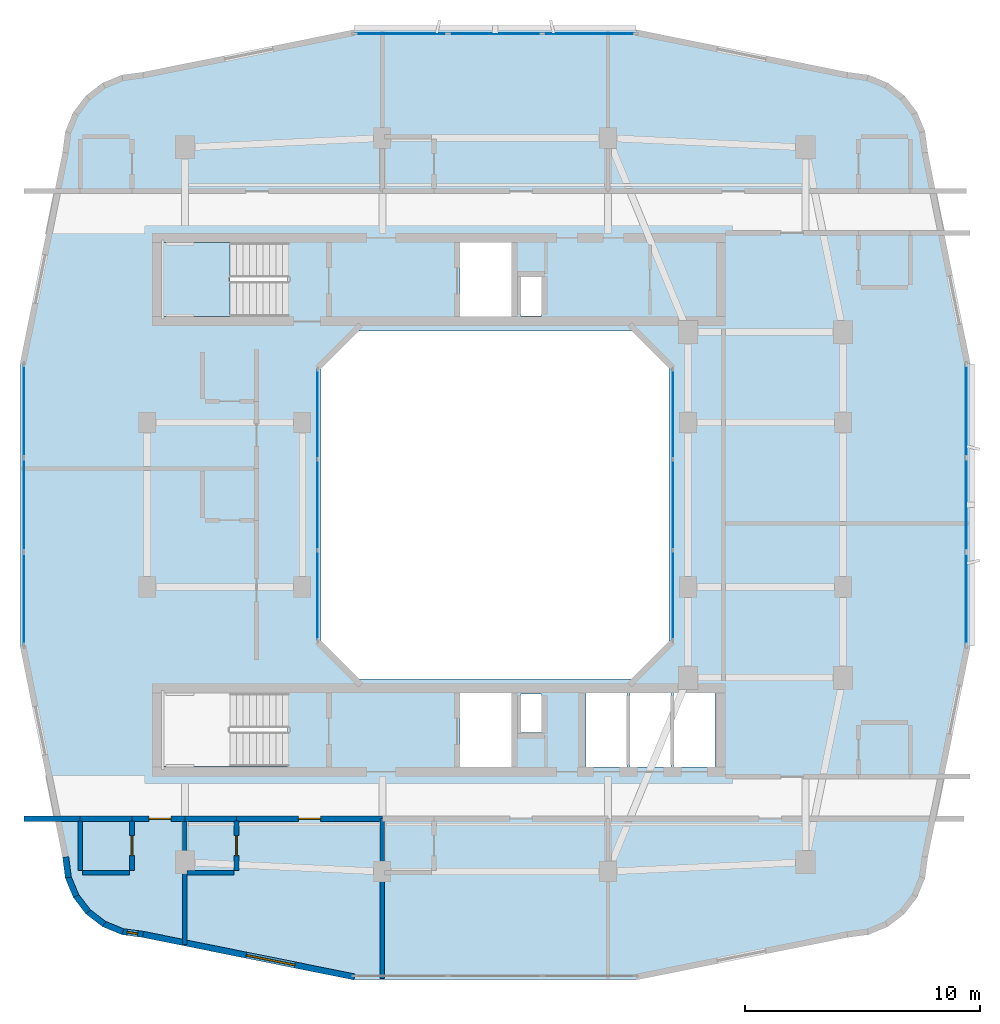
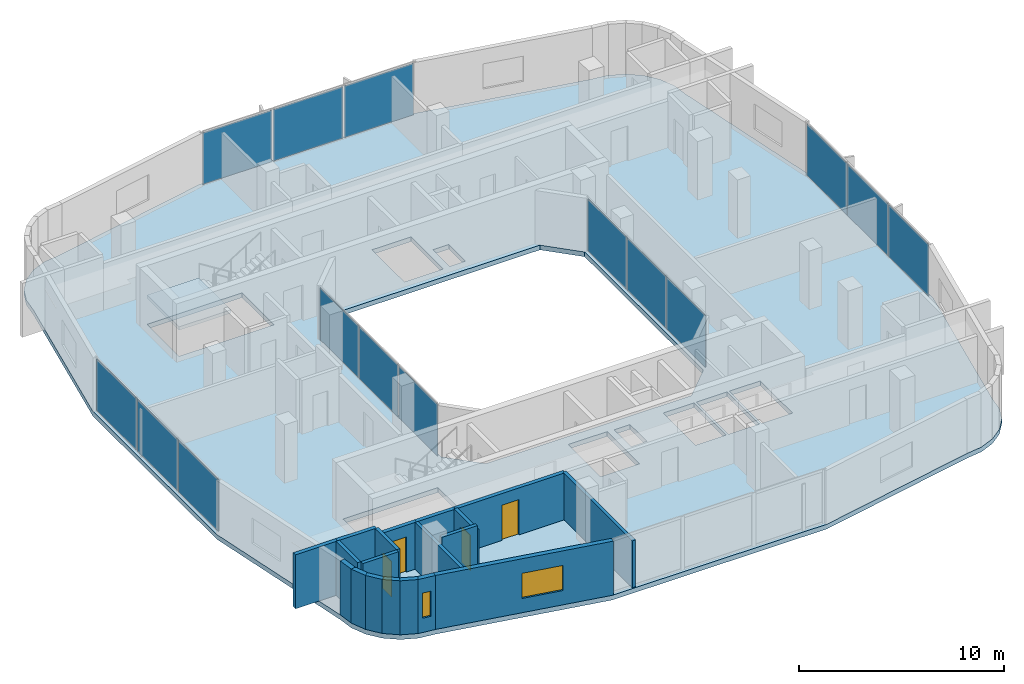
# One storey, part 6 of 14: 19 walls, 15 plates, 4 doors, 2 slabs, 2 windows, 6 openings, 6 elements without a shape of their own.
"""IFC4 building model written with IfcOpenShell, lengths in metres."""

from ifc_helpers import new_model, si_unit, derived_unit, direction, frame, frame_2d, origin, origin_2d, place, context, subcontext, project, spatial, polyline, rectangle, outline, extrude, material, layer, layer_set, type_object, element, fill, aggregate, save


model = new_model("IFC4")

# Units and contexts
model_context = context("Model", 3, precision=1e-05, world=origin(), true_north=direction((0.0, 1.0)))
body_context = subcontext(model_context, "Body", "Model", "MODEL_VIEW")
ifc_project = project(units=[si_unit("LENGTHUNIT", "METRE"), si_unit("AREAUNIT", "SQUARE_METRE"), si_unit("VOLUMEUNIT", "CUBIC_METRE"), si_unit("PLANEANGLEUNIT", "RADIAN"), si_unit("MASSUNIT", "GRAM", prefix="KILO"), derived_unit("THERMALTRANSMITTANCEUNIT", [(si_unit("POWERUNIT", "WATT"), 1), (si_unit("LENGTHUNIT", "METRE"), -2), (si_unit("THERMODYNAMICTEMPERATUREUNIT", "KELVIN"), -1)])], contexts=[model_context])

# Site, building, storey
site_placement = place(None, origin())
site = spatial("IfcSite", under=ifc_project, at=site_placement, CompositionType="ELEMENT")
building_placement = place(site_placement, origin())
building = spatial("IfcBuilding", under=site, at=building_placement, Name="Kivonza Crest Hotel", CompositionType="ELEMENT")
storey_placement = place(building_placement, frame((0.0, 0.0, 148.5)))
storey = spatial("IfcBuildingStorey", under=building, at=storey_placement, Name="L40", CompositionType="ELEMENT", Elevation=148.5)

# Curtain wall, plates
ifc_material_1 = material(Name="Anodised bronze aluminium and low-E double glazing", Category="aluminium")
ifc_layer_1 = layer(ifc_material_1, 0.159912109375)
ifc_layer_set_1 = layer_set([ifc_layer_1], Name="Anodised bronze aluminium and low-E double glazing")
curtain_wall_type_1 = type_object("IfcCurtainWallType", Name="CW-SYS-5", PredefinedType="NOTDEFINED", material=ifc_layer_set_1)
curtain_wall_1_placement = place(storey_placement, origin())
curtain_wall_1 = element("IfcCurtainWall", 1, at=curtain_wall_1_placement, inside=storey, type_object=curtain_wall_type_1, Name="L40 unitised curtain wall CW-WELL-T1-L40-3", PredefinedType="NOTDEFINED")
ifc_material_2 = material(Name="Solar-control low-E double glazing", Category="glass")
ifc_layer_2 = layer(ifc_material_2, 0.028076171875)
ifc_layer_set_2 = layer_set([ifc_layer_2], Name="Solar-control low-E double glazing")
plate_type_1 = type_object("IfcPlateType", Name="CW-PNL-28", PredefinedType="CURTAIN_PANEL", material=ifc_layer_set_2)
plate_1_placement = place(storey_placement, frame((28.56005859375, 21.149658203125, 0.06494140625), z_axis=(0.0, 0.0, 1.0), x_axis=(0.0, 1.0, 0.0)))
plate_1 = element("IfcPlate", 2, at=plate_1_placement, type_object=plate_type_1, Name="CW-5 panel 1.1", PredefinedType="CURTAIN_PANEL", context=body_context, shape_type="SweptSolid", body=[
    extrude(rectangle(XDim=3.769287109375, YDim=0.028076171875, at=origin_2d()), origin(), (0.0, 0.0, 1.0), 3.090087890625),
])
plate_2_placement = place(storey_placement, frame((28.56005859375, 25.0, 0.06494140625), z_axis=(0.0, 0.0, 1.0), x_axis=(0.0, 1.0, 0.0)))
plate_2 = element("IfcPlate", 3, at=plate_2_placement, type_object=plate_type_1, Name="CW-5 panel 2.1", PredefinedType="CURTAIN_PANEL", context=body_context, shape_type="SweptSolid", body=[
    extrude(rectangle(XDim=3.8017578125, YDim=0.028076171875, at=origin_2d()), origin(), (0.0, 0.0, 1.0), 3.090087890625),
])
plate_3_placement = place(storey_placement, frame((28.56005859375, 28.850341796875, 0.06494140625), z_axis=(0.0, 0.0, 1.0), x_axis=(0.0, 1.0, 0.0)))
plate_3 = element("IfcPlate", 4, at=plate_3_placement, type_object=plate_type_1, Name="CW-5 panel 3.1", PredefinedType="CURTAIN_PANEL", context=body_context, shape_type="SweptSolid", body=[
    extrude(rectangle(XDim=3.769287109375, YDim=0.028076171875, at=origin_2d()), origin(), (0.0, 0.0, 1.0), 3.090087890625),
])
aggregate(curtain_wall_1, [plate_1, plate_2, plate_3])

curtain_wall_2_placement = place(storey_placement, origin())
curtain_wall_2 = element("IfcCurtainWall", 5, at=curtain_wall_2_placement, inside=storey, type_object=curtain_wall_type_1, Name="L40 unitised curtain wall CW-WELL-T1-L40-7", PredefinedType="NOTDEFINED")
plate_4_placement = place(storey_placement, frame((13.43994140625, 28.850341796875, 0.06494140625), z_axis=(0.0, 0.0, 1.0), x_axis=(0.0, -1.0, 0.0)))
plate_4 = element("IfcPlate", 6, at=plate_4_placement, type_object=plate_type_1, Name="CW-5 panel 1.1", PredefinedType="CURTAIN_PANEL", context=body_context, shape_type="SweptSolid", body=[
    extrude(rectangle(XDim=3.769287109375, YDim=0.028076171875, at=origin_2d()), origin(), (0.0, 0.0, 1.0), 3.090087890625),
])
plate_5_placement = place(storey_placement, frame((13.43994140625, 25.0, 0.06494140625), z_axis=(0.0, 0.0, 1.0), x_axis=(0.0, -1.0, 0.0)))
plate_5 = element("IfcPlate", 7, at=plate_5_placement, type_object=plate_type_1, Name="CW-5 panel 2.1", PredefinedType="CURTAIN_PANEL", context=body_context, shape_type="SweptSolid", body=[
    extrude(rectangle(XDim=3.8017578125, YDim=0.028076171875, at=origin_2d()), origin(), (0.0, 0.0, 1.0), 3.090087890625),
])
plate_6_placement = place(storey_placement, frame((13.43994140625, 21.149658203125, 0.06494140625), z_axis=(0.0, 0.0, 1.0), x_axis=(0.0, -1.0, 0.0)))
plate_6 = element("IfcPlate", 8, at=plate_6_placement, type_object=plate_type_1, Name="CW-5 panel 3.1", PredefinedType="CURTAIN_PANEL", context=body_context, shape_type="SweptSolid", body=[
    extrude(rectangle(XDim=3.769287109375, YDim=0.028076171875, at=origin_2d()), origin(), (0.0, 0.0, 1.0), 3.090087890625),
])
aggregate(curtain_wall_2, [plate_4, plate_5, plate_6])

ifc_layer_3 = layer(ifc_material_1, 0.179931640625)
ifc_layer_set_3 = layer_set([ifc_layer_3], Name="Anodised bronze aluminium and low-E double glazing")
curtain_wall_type_2 = type_object("IfcCurtainWallType", Name="CW-SYS-3", PredefinedType="NOTDEFINED", material=ifc_layer_set_3)
curtain_wall_3_placement = place(storey_placement, origin())
curtain_wall_3 = element("IfcCurtainWall", 9, at=curtain_wall_3_placement, inside=storey, type_object=curtain_wall_type_2, Name="L40 unitised curtain wall CW-T1-L40-17", PredefinedType="NOTDEFINED")
ifc_material_3 = material(Name="Acoustic triple-laminated low-E glazing", Category="glass")
ifc_layer_4 = layer(ifc_material_3, 0.035888671875)
ifc_layer_set_4 = layer_set([ifc_layer_4], Name="Acoustic triple-laminated low-E glazing")
plate_type_2 = type_object("IfcPlateType", Name="CW-PNL-36", PredefinedType="CURTAIN_PANEL", material=ifc_layer_set_4)
plate_7_placement = place(storey_placement, frame((41.0400390625, 21.00537109375, 0.0751953125), z_axis=(0.0, 0.0, 1.0), x_axis=(0.0, 1.0, 0.0)))
plate_7 = element("IfcPlate", 10, at=plate_7_placement, type_object=plate_type_2, Name="CW-3 panel 1.1", PredefinedType="CURTAIN_PANEL", context=body_context, shape_type="SweptSolid", body=[
    extrude(rectangle(XDim=3.90087890625, YDim=0.035888671875, at=origin_2d()), origin(), (0.0, 0.0, 1.0), 3.070068359375),
])
plate_8_placement = place(storey_placement, frame((41.0400390625, 25.0, 0.0751953125), z_axis=(0.0, 0.0, 1.0), x_axis=(0.0, 1.0, 0.0)))
plate_8 = element("IfcPlate", 11, at=plate_8_placement, type_object=plate_type_2, Name="CW-3 panel 2.1", PredefinedType="CURTAIN_PANEL", context=body_context, shape_type="SweptSolid", body=[
    extrude(rectangle(XDim=3.938232421875, YDim=0.035888671875, at=origin_2d()), origin(), (0.0, 0.0, 1.0), 3.070068359375),
])
plate_9_placement = place(storey_placement, frame((41.0400390625, 28.99462890625, 0.0751953125), z_axis=(0.0, 0.0, 1.0), x_axis=(0.0, 1.0, 0.0)))
plate_9 = element("IfcPlate", 12, at=plate_9_placement, type_object=plate_type_2, Name="CW-3 panel 3.1", PredefinedType="CURTAIN_PANEL", context=body_context, shape_type="SweptSolid", body=[
    extrude(rectangle(XDim=3.90087890625, YDim=0.035888671875, at=origin_2d()), origin(), (0.0, 0.0, 1.0), 3.070068359375),
])
aggregate(curtain_wall_3, [plate_7, plate_8, plate_9])

curtain_wall_4_placement = place(storey_placement, origin())
curtain_wall_4 = element("IfcCurtainWall", 13, at=curtain_wall_4_placement, inside=storey, type_object=curtain_wall_type_2, Name="L40 unitised curtain wall CW-T1-L40-26", PredefinedType="NOTDEFINED")
plate_10_placement = place(storey_placement, frame((24.99462890625, 45.0400390625, 0.0751953125), z_axis=(0.0, 0.0, 1.0), x_axis=(-1.0, 0.0, 0.0)))
plate_10 = element("IfcPlate", 14, at=plate_10_placement, type_object=plate_type_2, Name="CW-3 panel 1.1", PredefinedType="CURTAIN_PANEL", context=body_context, shape_type="SweptSolid", body=[
    extrude(rectangle(XDim=3.90087890625, YDim=0.035888671875, at=origin_2d()), origin(), (0.0, 0.0, 1.0), 3.070068359375),
])
plate_11_placement = place(storey_placement, frame((21.0, 45.0400390625, 0.0751953125), z_axis=(0.0, 0.0, 1.0), x_axis=(-1.0, 0.0, 0.0)))
plate_11 = element("IfcPlate", 15, at=plate_11_placement, type_object=plate_type_2, Name="CW-3 panel 2.1", PredefinedType="CURTAIN_PANEL", context=body_context, shape_type="SweptSolid", body=[
    extrude(rectangle(XDim=3.938232421875, YDim=0.035888671875, at=origin_2d()), origin(), (0.0, 0.0, 1.0), 3.070068359375),
])
plate_12_placement = place(storey_placement, frame((17.00537109375, 45.0400390625, 0.0751953125), z_axis=(0.0, 0.0, 1.0), x_axis=(-1.0, 0.0, 0.0)))
plate_12 = element("IfcPlate", 16, at=plate_12_placement, type_object=plate_type_2, Name="CW-3 panel 3.1", PredefinedType="CURTAIN_PANEL", context=body_context, shape_type="SweptSolid", body=[
    extrude(rectangle(XDim=3.90087890625, YDim=0.035888671875, at=origin_2d()), origin(), (0.0, 0.0, 1.0), 3.070068359375),
])
aggregate(curtain_wall_4, [plate_10, plate_11, plate_12])

curtain_wall_5_placement = place(storey_placement, origin())
curtain_wall_5 = element("IfcCurtainWall", 17, at=curtain_wall_5_placement, inside=storey, type_object=curtain_wall_type_2, Name="L40 unitised curtain wall CW-T1-L40-35", PredefinedType="NOTDEFINED")
plate_13_placement = place(storey_placement, frame((0.9599609375, 28.99462890625, 0.0751953125), z_axis=(0.0, 0.0, 1.0), x_axis=(0.0, -1.0, 0.0)))
plate_13 = element("IfcPlate", 18, at=plate_13_placement, type_object=plate_type_2, Name="CW-3 panel 1.1", PredefinedType="CURTAIN_PANEL", context=body_context, shape_type="SweptSolid", body=[
    extrude(rectangle(XDim=3.90087890625, YDim=0.035888671875, at=origin_2d()), origin(), (0.0, 0.0, 1.0), 3.070068359375),
])
plate_14_placement = place(storey_placement, frame((0.9599609375, 25.0, 0.0751953125), z_axis=(0.0, 0.0, 1.0), x_axis=(0.0, -1.0, 0.0)))
plate_14 = element("IfcPlate", 19, at=plate_14_placement, type_object=plate_type_2, Name="CW-3 panel 2.1", PredefinedType="CURTAIN_PANEL", context=body_context, shape_type="SweptSolid", body=[
    extrude(rectangle(XDim=3.938232421875, YDim=0.035888671875, at=origin_2d()), origin(), (0.0, 0.0, 1.0), 3.070068359375),
])
plate_15_placement = place(storey_placement, frame((0.9599609375, 21.00537109375, 0.0751953125), z_axis=(0.0, 0.0, 1.0), x_axis=(0.0, -1.0, 0.0)))
plate_15 = element("IfcPlate", 20, at=plate_15_placement, type_object=plate_type_2, Name="CW-3 panel 3.1", PredefinedType="CURTAIN_PANEL", context=body_context, shape_type="SweptSolid", body=[
    extrude(rectangle(XDim=3.90087890625, YDim=0.035888671875, at=origin_2d()), origin(), (0.0, 0.0, 1.0), 3.070068359375),
])
aggregate(curtain_wall_5, [plate_13, plate_14, plate_15])

# Slab
ifc_material_4 = material(Name="Concrete C40/50", Category="concrete")
ifc_layer_5 = layer(ifc_material_4, 0.280029296875)
ifc_layer_set_5 = layer_set([ifc_layer_5], Name="Concrete C40/50")
slab_type_1 = type_object("IfcSlabType", Name="SL-HTL-280", PredefinedType="FLOOR", material=ifc_layer_set_5)
slab_1_placement = place(storey_placement, frame((0.0, 0.0, -0.280029296875)))
element("IfcSlab", 21, at=slab_1_placement, inside=storey, type_object=slab_type_1, Name="Tower T1 L40 floor slab", PredefinedType="FLOOR", context=body_context, shape_type="SweptSolid", body=[
    extrude(outline(polyline([(2.60009765625, 10.0), (2.716064453125, 9.1201171875), (3.055908203125, 8.300048828125), (3.595947265625, 7.595947265625), (4.300048828125, 7.055908203125), (5.1201171875, 6.716064453125), (6.0, 6.60009765625), (14.93994140625, 4.800048828125), (27.06005859375, 4.800048828125), (36.0, 6.60009765625), (36.8798828125, 6.716064453125), (37.699951171875, 7.055908203125), (38.404052734375, 7.595947265625), (38.944091796875, 8.300048828125), (39.283935546875, 9.1201171875), (39.39990234375, 10.0), (41.199951171875, 18.93994140625), (41.199951171875, 31.06005859375), (39.39990234375, 40.0), (39.283935546875, 40.8798828125), (38.944091796875, 41.699951171875), (38.404052734375, 42.404052734375), (37.699951171875, 42.944091796875), (36.8798828125, 43.283935546875), (36.0, 43.39990234375), (27.06005859375, 45.199951171875), (14.93994140625, 45.199951171875), (6.0, 43.39990234375), (5.1201171875, 43.283935546875), (4.300048828125, 42.944091796875), (3.595947265625, 42.404052734375), (3.055908203125, 41.699951171875), (2.716064453125, 40.8798828125), (2.60009765625, 40.0), (0.800048828125, 31.06005859375), (0.800048828125, 18.93994140625), (2.60009765625, 10.0)]), holes=[polyline([(15.199951171875, 17.60009765625), (26.800048828125, 17.60009765625), (28.39990234375, 19.199951171875), (28.39990234375, 30.800048828125), (26.800048828125, 32.39990234375), (15.199951171875, 32.39990234375), (13.60009765625, 30.800048828125), (13.60009765625, 19.199951171875), (15.199951171875, 17.60009765625)]), polyline([(6.800048828125, 33.02001953125), (12.159912109375, 33.02001953125), (12.159912109375, 36.159912109375), (6.800048828125, 36.159912109375), (6.800048828125, 33.02001953125)]), polyline([(6.800048828125, 13.860107421875), (12.159912109375, 13.860107421875), (12.159912109375, 17.0), (6.800048828125, 17.0), (6.800048828125, 13.860107421875)]), polyline([(22.080078125, 33.0400390625), (22.969970703125, 33.0400390625), (22.969970703125, 34.679931640625), (22.080078125, 34.679931640625), (22.080078125, 33.0400390625)]), polyline([(22.080078125, 15.320068359375), (22.969970703125, 15.320068359375), (22.969970703125, 16.9599609375), (22.080078125, 16.9599609375), (22.080078125, 15.320068359375)]), polyline([(19.5, 33.0), (21.699951171875, 33.0), (21.699951171875, 36.159912109375), (19.5, 36.159912109375), (19.5, 33.0)]), polyline([(19.5, 13.840087890625), (21.699951171875, 13.840087890625), (21.699951171875, 17.0), (19.5, 17.0), (19.5, 13.840087890625)]), polyline([(24.860107421875, 13.840087890625), (26.60693359375, 13.840087890625), (26.60693359375, 17.0), (24.860107421875, 17.0), (24.860107421875, 13.840087890625)]), polyline([(26.72705078125, 13.840087890625), (28.472900390625, 13.840087890625), (28.472900390625, 17.0), (26.72705078125, 17.0), (26.72705078125, 13.840087890625)]), polyline([(28.593017578125, 13.840087890625), (30.340087890625, 13.840087890625), (30.340087890625, 17.0), (28.593017578125, 17.0), (28.593017578125, 13.840087890625)])]), origin(), (0.0, 0.0, 1.0), 0.280029296875),
])

# Stair, slab
stair_type = type_object("IfcStairType", Name="ST-DL-20R", PredefinedType="HALF_TURN_STAIR", material=ifc_material_4)
stair_placement = place(storey_placement, origin())
stair = element("IfcStair", 22, at=stair_placement, inside=storey, type_object=stair_type, Name="L40 Protected Exit Stair ST-T1-N", PredefinedType="HALF_TURN_STAIR")
ifc_layer_6 = layer(ifc_material_4, 0.199951171875)
ifc_layer_set_6 = layer_set([ifc_layer_6], Name="Concrete C40/50")
slab_type_2 = type_object("IfcSlabType", Name="SL-LAND-200", PredefinedType="LANDING", material=ifc_layer_set_6)
slab_2_placement = place(storey_placement, frame((0.0, 0.0, 1.550048828125)))
slab_2 = element("IfcSlab", 23, at=slab_2_placement, type_object=slab_type_2, Name="ST-T1-N landing 1", PredefinedType="LANDING", context=body_context, shape_type="SweptSolid", body=[
    extrude(outline(polyline([(9.719970703125, 36.159912109375), (6.800048828125, 36.159912109375), (6.800048828125, 33.02001953125), (9.719970703125, 33.02001953125), (9.719970703125, 36.159912109375)])), origin(), (0.0, 0.0, 1.0), 0.199951171875),
])
aggregate(stair, [slab_2])

# Walls
ifc_material_5 = material(Name="High-density acoustic masonry inter-tenancy wall", Category="masonry")
ifc_layer_7 = layer(ifc_material_5, 0.179931640625)
ifc_layer_set_7 = layer_set([ifc_layer_7], Name="High-density acoustic masonry inter-tenancy wall")
wall_type_1 = type_object("IfcWallType", Name="WL-ACOU-180", PredefinedType="SOLIDWALL", material=ifc_layer_set_7)
wall_1_placement = place(storey_placement, frame((7.800048828125, 6.299072265625, 0.0), z_axis=(0.0, 0.0, 1.0), x_axis=(0.0, 1.0, 0.0)))
element("IfcWall", 24, at=wall_1_placement, inside=storey, type_object=wall_type_1, Name="L40 interior partition WA-L40-T1S-DIV1", PredefinedType="SOLIDWALL", context=body_context, shape_type="SweptSolid", body=[
    extrude(rectangle(XDim=5.350830078125, YDim=0.179931640625, at=frame_2d((2.67529296875, 0.0))), origin(), (0.0, 0.0, 1.0), 2.794921875),
])
wall_2_placement = place(storey_placement, frame((16.199951171875, 4.860107421875, 0.0), z_axis=(0.0, 0.0, 1.0), x_axis=(0.0, 1.0, 0.0)))
element("IfcWall", 25, at=wall_2_placement, inside=storey, type_object=wall_type_1, Name="L40 interior partition WA-L40-T1S-DIV2", PredefinedType="SOLIDWALL", context=body_context, shape_type="SweptSolid", body=[
    extrude(rectangle(XDim=6.789794921875, YDim=0.179931640625, at=frame_2d((3.39501953125, 0.0))), origin(), (0.0, 0.0, 1.0), 2.794921875),
])
ifc_material_6 = material(Name="Autoclaved aerated concrete blockwork", Category="masonry")
ifc_layer_8 = layer(ifc_material_6, 0.219970703125)
ifc_layer_set_8 = layer_set([ifc_layer_8], Name="Autoclaved aerated concrete blockwork")
wall_type_2 = type_object("IfcWallType", Name="WL-ACOU-220", PredefinedType="SOLIDWALL", material=ifc_layer_set_8)
wall_3_placement = place(storey_placement, frame((0.9599609375, 11.64990234375, 0.0), z_axis=(0.0, 0.0, 1.0), x_axis=(1.0, 0.0, 0.0)))
element("IfcWall", 26, at=wall_3_placement, inside=storey, type_object=wall_type_2, Name="L40 interior partition WA-L40-S04-XCORR", PredefinedType="SOLIDWALL", context=body_context, shape_type="SweptSolid", body=[
    extrude(rectangle(XDim=2.39013671875, YDim=0.219970703125, at=frame_2d((1.195068359375, 0.0))), origin(), (0.0, 0.0, 1.0), 3.219970703125),
])
wall_4_placement = place(storey_placement, frame((3.35009765625, 11.64990234375, 0.0), z_axis=(0.0, 0.0, 1.0), x_axis=(1.0, 0.0, 0.0)))
element("IfcWall", 27, at=wall_4_placement, inside=storey, type_object=wall_type_2, Name="L40 interior partition WA-L40-S04-BCORR", PredefinedType="SOLIDWALL", context=body_context, shape_type="SweptSolid", body=[
    extrude(rectangle(XDim=2.199951171875, YDim=0.219970703125, at=frame_2d((1.10009765625, 0.0))), origin(), (0.0, 0.0, 1.0), 3.219970703125),
])

# Wall, opening, door
wall_5_placement = place(storey_placement, frame((5.550048828125, 11.64990234375, 0.0), z_axis=(0.0, 0.0, 1.0), x_axis=(1.0, 0.0, 0.0)))
wall_5 = element("IfcWall", 28, at=wall_5_placement, inside=storey, type_object=wall_type_2, Name="L40 interior partition WA-L40-S04-MCORR", PredefinedType="SOLIDWALL", context=body_context, shape_type="SweptSolid", body=[
    extrude(rectangle(XDim=2.25, YDim=0.219970703125, at=frame_2d((1.125, 0.0))), origin(), (0.0, 0.0, 1.0), 2.794921875),
])
opening_1_placement = place(wall_5_placement, frame((0.719970703125, 0.0, 0.0)))
opening_1 = element("IfcOpeningElement", 29, at=opening_1_placement, cuts=wall_5, Name="Opening DU-60", PredefinedType="OPENING", context=body_context, shape_type="SweptSolid", body=[
    extrude(rectangle(XDim=0.949951171875, YDim=2.10009765625, at=frame_2d((0.47509765625, 1.050048828125))), frame((0.0, 0.1201171875, 0.0), z_axis=(0.0, -1.0, 0.0), x_axis=(1.0, 0.0, 0.0)), (0.0, 0.0, 1.0), 0.239990234375),
])
ifc_material_7 = material(Name="Hardwood timber oak", Category="wood")
door_type_1 = type_object("IfcDoorType", Name="DR-UNIT-950", OperationType="NOTDEFINED", PredefinedType="DOOR", material=ifc_material_7)
door_1_placement = place(opening_1_placement, frame((0.949951171875, 0.0, 0.0), z_axis=(0.0, 0.0, 1.0), x_axis=(-1.0, 0.0, 0.0)))
door_1 = element("IfcDoor", 30, at=door_1_placement, inside=storey, type_object=door_type_1, Name="L40 S04 guest unit entrance fire door", OperationType="SINGLE_SWING_RIGHT", OverallHeight=2.10009765625, OverallWidth=0.949951171875, PredefinedType="DOOR", context=body_context, shape_type="SweptSolid", body=[
    extrude(rectangle(XDim=0.949951171875, YDim=2.10009765625, at=frame_2d((0.47509765625, 1.050048828125))), frame((0.0, 0.02490234375, 0.0), z_axis=(0.0, -1.0, 0.0), x_axis=(1.0, 0.0, 0.0)), (0.0, 0.0, 1.0), 0.050048828125),
])
fill(opening_1, door_1)

# Wall
wall_6_placement = place(storey_placement, frame((7.800048828125, 11.64990234375, 0.0), z_axis=(0.0, 0.0, 1.0), x_axis=(1.0, 0.0, 0.0)))
element("IfcWall", 31, at=wall_6_placement, inside=storey, type_object=wall_type_2, Name="L40 interior partition WA-L40-S05-BCORR", PredefinedType="SOLIDWALL", context=body_context, shape_type="SweptSolid", body=[
    extrude(rectangle(XDim=2.199951171875, YDim=0.219970703125, at=frame_2d((1.10009765625, 0.0))), origin(), (0.0, 0.0, 1.0), 2.794921875),
])

# Wall, opening, door
wall_7_placement = place(storey_placement, frame((10.0, 11.64990234375, 0.0), z_axis=(0.0, 0.0, 1.0), x_axis=(1.0, 0.0, 0.0)))
wall_7 = element("IfcWall", 32, at=wall_7_placement, inside=storey, type_object=wall_type_2, Name="L40 interior partition WA-L40-S05-MCORR", PredefinedType="SOLIDWALL", context=body_context, shape_type="SweptSolid", body=[
    extrude(rectangle(XDim=6.199951171875, YDim=0.219970703125, at=frame_2d((3.10009765625, 0.0))), origin(), (0.0, 0.0, 1.0), 2.794921875),
])
opening_2_placement = place(wall_7_placement, frame((2.625, 0.0, 0.0)))
opening_2 = element("IfcOpeningElement", 33, at=opening_2_placement, cuts=wall_7, Name="Opening DU-60", PredefinedType="OPENING", context=body_context, shape_type="SweptSolid", body=[
    extrude(rectangle(XDim=0.949951171875, YDim=2.10009765625, at=frame_2d((0.47509765625, 1.050048828125))), frame((0.0, 0.1201171875, 0.0), z_axis=(0.0, -1.0, 0.0), x_axis=(1.0, 0.0, 0.0)), (0.0, 0.0, 1.0), 0.239990234375),
])
door_2_placement = place(opening_2_placement, frame((0.949951171875, 0.0, 0.0), z_axis=(0.0, 0.0, 1.0), x_axis=(-1.0, 0.0, 0.0)))
door_2 = element("IfcDoor", 34, at=door_2_placement, inside=storey, type_object=door_type_1, Name="L40 S05 guest unit entrance fire door", OperationType="SINGLE_SWING_LEFT", OverallHeight=2.10009765625, OverallWidth=0.949951171875, PredefinedType="DOOR", context=body_context, shape_type="SweptSolid", body=[
    extrude(rectangle(XDim=0.949951171875, YDim=2.10009765625, at=frame_2d((0.47509765625, 1.050048828125))), frame((0.0, 0.02490234375, 0.0), z_axis=(0.0, -1.0, 0.0), x_axis=(1.0, 0.0, 0.0)), (0.0, 0.0, 1.0), 0.050048828125),
])
fill(opening_2, door_2)

# Walls
ifc_material_8 = material(Name="Precast concrete C40/50", Category="concrete")
ifc_layer_9 = layer(ifc_material_8, 0.260009765625)
ifc_layer_set_9 = layer_set([ifc_layer_9], Name="Precast concrete C40/50")
wall_type_3 = type_object("IfcWallType", Name="WL-EXT-260", PredefinedType="STANDARD", material=ifc_layer_set_9)
wall_8_placement = place(storey_placement, frame((2.72802734375, 10.02490234375, 0.0), z_axis=(0.0, 0.0, 1.0), x_axis=(0.130953706898, -0.991388484223, 0.0)))
element("IfcWall", 35, at=wall_8_placement, inside=storey, type_object=wall_type_3, Name="L40 T1 exterior insulated wall 1", PredefinedType="STANDARD", context=body_context, shape_type="SweptSolid", body=[
    extrude(rectangle(XDim=0.885498046875, YDim=0.260009765625, at=frame_2d((0.44287109375, 0.0))), origin(), (0.0, 0.0, 1.0), 3.219970703125),
])
wall_9_placement = place(storey_placement, frame((2.825927734375, 9.193115234375, 0.0), z_axis=(0.0, 0.0, 1.0), x_axis=(0.383290660547, -0.923627776508, 0.0)))
element("IfcWall", 36, at=wall_9_placement, inside=storey, type_object=wall_type_3, Name="L40 T1 exterior insulated wall 2", PredefinedType="STANDARD", context=body_context, shape_type="SweptSolid", body=[
    extrude(rectangle(XDim=0.9033203125, YDim=0.260009765625, at=frame_2d((0.45166015625, 0.0))), origin(), (0.0, 0.0, 1.0), 3.219970703125),
])
wall_10_placement = place(storey_placement, frame((3.14404296875, 8.39892578125, 0.0), z_axis=(0.0, 0.0, 1.0), x_axis=(0.608624690463, -0.793458244748, 0.0)))
element("IfcWall", 37, at=wall_10_placement, inside=storey, type_object=wall_type_3, Name="L40 T1 exterior insulated wall 3", PredefinedType="STANDARD", context=body_context, shape_type="SweptSolid", body=[
    extrude(rectangle(XDim=0.902099609375, YDim=0.260009765625, at=frame_2d((0.451171875, 0.0))), origin(), (0.0, 0.0, 1.0), 3.219970703125),
])
wall_11_placement = place(storey_placement, frame((3.655029296875, 7.714111328125, 0.0), z_axis=(0.0, 0.0, 1.0), x_axis=(0.793558456666, -0.608494022858, 0.0)))
element("IfcWall", 38, at=wall_11_placement, inside=storey, type_object=wall_type_3, Name="L40 T1 exterior insulated wall 4", PredefinedType="STANDARD", context=body_context, shape_type="SweptSolid", body=[
    extrude(rectangle(XDim=0.90234375, YDim=0.260009765625, at=frame_2d((0.451171875, 0.0))), origin(), (0.0, 0.0, 1.0), 3.219970703125),
])
wall_12_placement = place(storey_placement, frame((4.326904296875, 7.18603515625, 0.0), z_axis=(0.0, 0.0, 1.0), x_axis=(0.923683767999, -0.383155708213, 0.0)))
element("IfcWall", 39, at=wall_12_placement, inside=storey, type_object=wall_type_3, Name="L40 T1 exterior insulated wall 5", PredefinedType="STANDARD", context=body_context, shape_type="SweptSolid", body=[
    extrude(rectangle(XDim=0.90283203125, YDim=0.260009765625, at=frame_2d((0.451416015625, 0.0))), origin(), (0.0, 0.0, 1.0), 3.219970703125),
])

# Wall, opening, window
wall_13_placement = place(storey_placement, frame((5.112060546875, 6.847900390625, 0.0), z_axis=(0.0, 0.0, 1.0), x_axis=(0.991487658083, -0.130200706103, 0.0)))
wall_13 = element("IfcWall", 40, at=wall_13_placement, inside=storey, type_object=wall_type_3, Name="L40 T1 exterior insulated wall 6", PredefinedType="STANDARD", context=body_context, shape_type="SweptSolid", body=[
    extrude(rectangle(XDim=0.920654296875, YDim=0.260009765625, at=frame_2d((0.46044921875, 0.0))), origin(), (0.0, 0.0, 1.0), 3.219970703125),
])
opening_3_placement = place(wall_13_placement, frame((0.235107421875, 0.0, 0.85009765625)))
opening_3 = element("IfcOpeningElement", 41, at=opening_3_placement, cuts=wall_13, Name="Opening WN-11", PredefinedType="OPENING", context=body_context, shape_type="SweptSolid", body=[
    extrude(rectangle(XDim=0.449951171875, YDim=1.5, at=frame_2d((0.22509765625, 0.75))), frame((0.0, 0.14013671875, 0.0), z_axis=(0.0, -1.0, 0.0), x_axis=(1.0, 0.0, 0.0)), (0.0, 0.0, 1.0), 0.280029296875),
])
ifc_material_9 = material(Name="Thermally broken bronze aluminium and low-E double glazing", Category="aluminium")
window_type_1 = type_object("IfcWindowType", Name="WN-045x150", PartitioningType="SINGLE_PANEL", PredefinedType="WINDOW", material=ifc_material_9)
window_1_placement = place(opening_3_placement, origin())
window_1 = element("IfcWindow", 42, at=window_1_placement, inside=storey, type_object=window_type_1, Name="L40 corner vision window 1", OverallHeight=1.5, OverallWidth=0.449951171875, PartitioningType="SINGLE_PANEL", PredefinedType="WINDOW", context=body_context, shape_type="SweptSolid", body=[
    extrude(rectangle(XDim=0.449951171875, YDim=1.5, at=frame_2d((0.22509765625, 0.75))), frame((0.0, 0.030029296875, 0.0), z_axis=(0.0, -1.0, 0.0), x_axis=(1.0, 0.0, 0.0)), (0.0, 0.0, 1.0), 0.06005859375),
])
fill(opening_3, window_1)

wall_14_placement = place(storey_placement, frame((6.01806640625, 6.72900390625, 0.0), z_axis=(0.0, 0.0, 1.0), x_axis=(0.980315963543, -0.197435082048, 0.0)))
wall_14 = element("IfcWall", 43, at=wall_14_placement, inside=storey, type_object=wall_type_3, Name="L40 T1 exterior insulated wall 7", PredefinedType="STANDARD", context=body_context, shape_type="SweptSolid", body=[
    extrude(rectangle(XDim=9.1826171875, YDim=0.260009765625, at=frame_2d((4.59130859375, 0.0))), origin(), (0.0, 0.0, 1.0), 3.219970703125),
])
opening_4_placement = place(wall_14_placement, frame((4.487060546875, 0.0, 0.85009765625)))
opening_4 = element("IfcOpeningElement", 44, at=opening_4_placement, cuts=wall_14, Name="Opening WN-04", PredefinedType="OPENING", context=body_context, shape_type="SweptSolid", body=[
    extrude(rectangle(XDim=2.10009765625, YDim=1.5, at=frame_2d((1.050048828125, 0.75))), frame((0.0, 0.14013671875, 0.0), z_axis=(0.0, -1.0, 0.0), x_axis=(1.0, 0.0, 0.0)), (0.0, 0.0, 1.0), 0.280029296875),
])
window_type_2 = type_object("IfcWindowType", Name="WN-210x150", PartitioningType="DOUBLE_PANEL_VERTICAL", PredefinedType="WINDOW", material=ifc_material_9)
window_2_placement = place(opening_4_placement, origin())
window_2 = element("IfcWindow", 45, at=window_2_placement, inside=storey, type_object=window_type_2, Name="L40 T1 facade window 7", OverallHeight=1.5, OverallWidth=2.10009765625, PartitioningType="SINGLE_PANEL", PredefinedType="WINDOW", context=body_context, shape_type="SweptSolid", body=[
    extrude(rectangle(XDim=2.10009765625, YDim=1.5, at=frame_2d((1.050048828125, 0.75))), frame((0.0, 0.030029296875, 0.0), z_axis=(0.0, -1.0, 0.0), x_axis=(1.0, 0.0, 0.0)), (0.0, 0.0, 1.0), 0.06005859375),
])
fill(opening_4, window_2)

# Wall, opening, door
ifc_material_10 = material(Name="Moisture-resistant plumbing chase partition wall", Category="gypsum")
ifc_layer_10 = layer(ifc_material_10, 0.199951171875)
ifc_layer_set_10 = layer_set([ifc_layer_10], Name="Moisture-resistant plumbing chase partition wall")
wall_type_4 = type_object("IfcWallType", Name="WL-PLUMB-200", PredefinedType="PLUMBINGWALL", material=ifc_layer_set_10)
wall_15_placement = place(storey_placement, frame((5.550048828125, 9.449951171875, 0.0), z_axis=(0.0, 0.0, 1.0), x_axis=(0.0, 1.0, 0.0)))
wall_15 = element("IfcWall", 46, at=wall_15_placement, inside=storey, type_object=wall_type_4, Name="L40 interior partition WW-L40-S04-BV", PredefinedType="PLUMBINGWALL", context=body_context, shape_type="SweptSolid", body=[
    extrude(rectangle(XDim=2.10009765625, YDim=0.199951171875, at=frame_2d((1.050048828125, 0.0))), origin(), (0.0, 0.0, 1.0), 3.219970703125),
])
opening_5_placement = place(wall_15_placement, frame((0.625, 0.0, 0.0)))
opening_5 = element("IfcOpeningElement", 47, at=opening_5_placement, cuts=wall_15, Name="Opening DI-85", PredefinedType="OPENING", context=body_context, shape_type="SweptSolid", body=[
    extrude(rectangle(XDim=0.85009765625, YDim=2.10009765625, at=frame_2d((0.425048828125, 1.050048828125))), frame((0.0, 0.10986328125, 0.0), z_axis=(0.0, -1.0, 0.0), x_axis=(1.0, 0.0, 0.0)), (0.0, 0.0, 1.0), 0.219970703125),
])
door_type_2 = type_object("IfcDoorType", Name="DR-INT-850", OperationType="NOTDEFINED", PredefinedType="DOOR", material=ifc_material_7)
door_3_placement = place(opening_5_placement, frame((0.85009765625, 0.0, 0.0), z_axis=(0.0, 0.0, 1.0), x_axis=(-1.0, 0.0, 0.0)))
door_3 = element("IfcDoor", 48, at=door_3_placement, inside=storey, type_object=door_type_2, Name="L40 S04 en-suite bathroom door", OperationType="SINGLE_SWING_LEFT", OverallHeight=2.10009765625, OverallWidth=0.85009765625, PredefinedType="DOOR", context=body_context, shape_type="SweptSolid", body=[
    extrude(rectangle(XDim=0.85009765625, YDim=2.10009765625, at=frame_2d((0.425048828125, 1.050048828125))), frame((0.0, 0.02490234375, 0.0), z_axis=(0.0, -1.0, 0.0), x_axis=(1.0, 0.0, 0.0)), (0.0, 0.0, 1.0), 0.050048828125),
])
fill(opening_5, door_3)

# Walls
wall_16_placement = place(storey_placement, frame((3.449951171875, 9.35009765625, 0.0), z_axis=(0.0, 0.0, 1.0), x_axis=(1.0, 0.0, 0.0)))
element("IfcWall", 49, at=wall_16_placement, inside=storey, type_object=wall_type_4, Name="L40 interior partition WW-L40-S04-BH", PredefinedType="PLUMBINGWALL", context=body_context, shape_type="SweptSolid", body=[
    extrude(rectangle(XDim=2.0, YDim=0.199951171875, at=frame_2d((1.0, 0.0))), origin(), (0.0, 0.0, 1.0), 3.219970703125),
])
wall_17_placement = place(storey_placement, frame((3.35009765625, 9.449951171875, 0.0), z_axis=(0.0, 0.0, 1.0), x_axis=(0.0, 1.0, 0.0)))
element("IfcWall", 50, at=wall_17_placement, inside=storey, type_object=wall_type_4, Name="L40 interior partition WW-L40-S04-BVW", PredefinedType="PLUMBINGWALL", context=body_context, shape_type="SweptSolid", body=[
    extrude(rectangle(XDim=2.10009765625, YDim=0.199951171875, at=frame_2d((1.050048828125, 0.0))), origin(), (0.0, 0.0, 1.0), 3.219970703125),
])

# Wall, opening, door
wall_18_placement = place(storey_placement, frame((10.0, 9.449951171875, 0.0), z_axis=(0.0, 0.0, 1.0), x_axis=(0.0, 1.0, 0.0)))
wall_18 = element("IfcWall", 51, at=wall_18_placement, inside=storey, type_object=wall_type_4, Name="L40 interior partition WW-L40-S05-BV", PredefinedType="PLUMBINGWALL", context=body_context, shape_type="SweptSolid", body=[
    extrude(rectangle(XDim=2.10009765625, YDim=0.199951171875, at=frame_2d((1.050048828125, 0.0))), origin(), (0.0, 0.0, 1.0), 2.8349609375),
])
opening_6_placement = place(wall_18_placement, frame((0.625, 0.0, 0.0)))
opening_6 = element("IfcOpeningElement", 52, at=opening_6_placement, cuts=wall_18, Name="Opening DI-85", PredefinedType="OPENING", context=body_context, shape_type="SweptSolid", body=[
    extrude(rectangle(XDim=0.85009765625, YDim=2.10009765625, at=frame_2d((0.425048828125, 1.050048828125))), frame((0.0, 0.10986328125, 0.0), z_axis=(0.0, -1.0, 0.0), x_axis=(1.0, 0.0, 0.0)), (0.0, 0.0, 1.0), 0.219970703125),
])
door_4_placement = place(opening_6_placement, frame((0.85009765625, 0.0, 0.0), z_axis=(0.0, 0.0, 1.0), x_axis=(-1.0, 0.0, 0.0)))
door_4 = element("IfcDoor", 53, at=door_4_placement, inside=storey, type_object=door_type_2, Name="L40 S05 en-suite bathroom door", OperationType="SINGLE_SWING_RIGHT", OverallHeight=2.10009765625, OverallWidth=0.85009765625, PredefinedType="DOOR", context=body_context, shape_type="SweptSolid", body=[
    extrude(rectangle(XDim=0.85009765625, YDim=2.10009765625, at=frame_2d((0.425048828125, 1.050048828125))), frame((0.0, 0.02490234375, 0.0), z_axis=(0.0, -1.0, 0.0), x_axis=(1.0, 0.0, 0.0)), (0.0, 0.0, 1.0), 0.050048828125),
])
fill(opening_6, door_4)

# Wall
wall_19_placement = place(storey_placement, frame((7.89990234375, 9.35009765625, 0.0), z_axis=(0.0, 0.0, 1.0), x_axis=(1.0, 0.0, 0.0)))
element("IfcWall", 54, at=wall_19_placement, inside=storey, type_object=wall_type_4, Name="L40 interior partition WW-L40-S05-BH", PredefinedType="PLUMBINGWALL", context=body_context, shape_type="SweptSolid", body=[
    extrude(rectangle(XDim=2.0, YDim=0.199951171875, at=frame_2d((1.0, 0.0))), origin(), (0.0, 0.0, 1.0), 3.219970703125),
])

save(model, "model.ifc")
